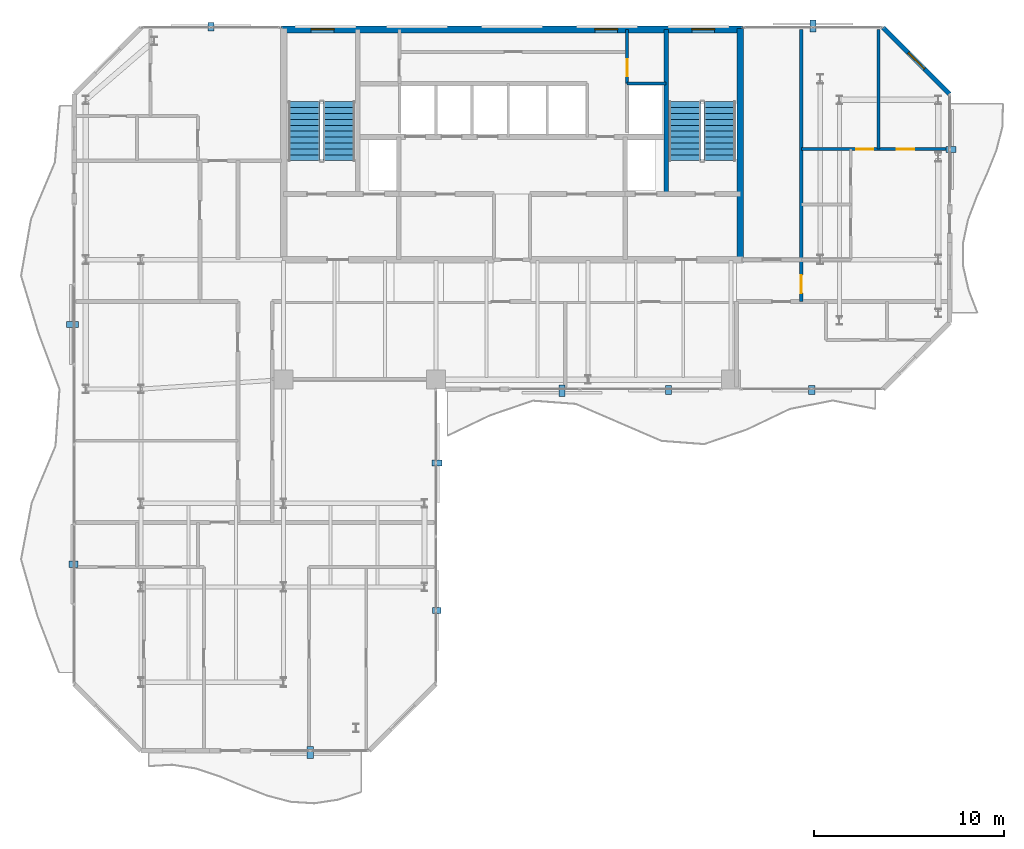
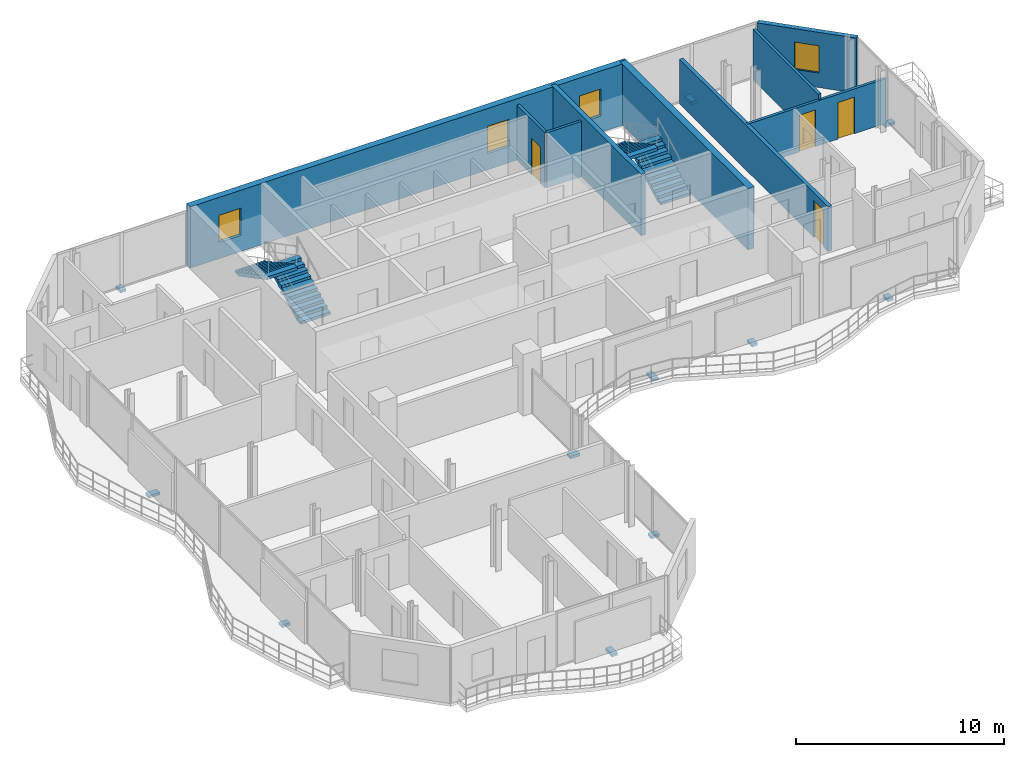
# One storey, part 20 of 23: 11 discrete accessories, 9 walls, 4 doors, 4 stair flights, 4 windows, 8 openings, 2 elements without a shape of their own.
"""IFC4 building model written with IfcOpenShell, lengths in metres."""

from ifc_helpers import new_model, si_unit, direction, frame, frame_2d, origin, origin_2d, place, context, subcontext, project, spatial, polyline, rectangle, outline, extrude, material, layer, layer_set, type_object, element, fill, aggregate, save


model = new_model("IFC4")

# Units and contexts
model_context = context("Model", 3, precision=1e-05, world=origin(), true_north=direction((0.0, 1.0)))
body_context = subcontext(model_context, "Body", "Model", "MODEL_VIEW")
ifc_project = project(units=[si_unit("LENGTHUNIT", "METRE"), si_unit("AREAUNIT", "SQUARE_METRE"), si_unit("VOLUMEUNIT", "CUBIC_METRE"), si_unit("PLANEANGLEUNIT", "RADIAN"), si_unit("MASSUNIT", "GRAM", prefix="KILO")], contexts=[model_context])

# Site, building, storey
site_placement = place(None, origin())
site = spatial("IfcSite", under=ifc_project, at=site_placement, CompositionType="ELEMENT")
building_placement = place(site_placement, origin())
building = spatial("IfcBuilding", under=site, at=building_placement, Name="Catumbela Crestline Tower", CompositionType="ELEMENT")
storey_placement = place(building_placement, frame((0.0, 0.0, 204.6)))
storey = spatial("IfcBuildingStorey", under=building, at=storey_placement, Name="L53", CompositionType="ELEMENT", Elevation=204.6)

# Walls
ifc_material_1 = material(Name="Concrete C50/60", Category="concrete")
ifc_layer_1 = layer(ifc_material_1, 0.25, Name="Concrete C50/60")
ifc_layer_set_1 = layer_set([ifc_layer_1], Name="Concrete C50/60")
wall_type_1 = type_object("IfcWallType", Name="CW-250D", PredefinedType="SHEAR", material=ifc_layer_set_1)
wall_1_placement = place(storey_placement, frame((36.1, 34.25, 0.0), z_axis=(0.0, 0.0, 1.0), x_axis=(0.0, 1.0, 0.0)))
element("IfcWall", 1, at=wall_1_placement, inside=storey, type_object=wall_type_1, Name="L53 Structural Core Shear Wall EWEB", PredefinedType="SHEAR", context=body_context, shape_type="SweptSolid", body=[
    extrude(rectangle(XDim=8.65, YDim=0.25, at=frame_2d((4.325, 0.0))), origin(), (0.0, 0.0, 1.0), 3.6),
])
ifc_layer_2 = layer(ifc_material_1, 0.35, Name="Concrete C50/60")
ifc_layer_set_2 = layer_set([ifc_layer_2], Name="Concrete C50/60")
wall_type_2 = type_object("IfcWallType", Name="CW-350B", PredefinedType="SHEAR", material=ifc_layer_set_2)
wall_2_placement = place(storey_placement, frame((40.0, 30.65, 0.0), z_axis=(0.0, 0.0, 1.0), x_axis=(0.0, 1.0, 0.0)))
element("IfcWall", 2, at=wall_2_placement, inside=storey, type_object=wall_type_2, Name="L53 Structural Core Shear Wall E", PredefinedType="SHEAR", context=body_context, shape_type="SweptSolid", body=[
    extrude(rectangle(XDim=12.3, YDim=0.35, at=frame_2d((6.15, 0.0))), origin(), (0.0, 0.0, 1.0), 3.6),
])

# Wall, openings, windows
ifc_layer_3 = layer(ifc_material_1, 0.35, Name="Concrete C50/60")
ifc_layer_set_3 = layer_set([ifc_layer_3], Name="Concrete C50/60")
wall_type_3 = type_object("IfcWallType", Name="CW-350E", PredefinedType="SHEAR", material=ifc_layer_set_3)
wall_3_placement = place(storey_placement, frame((15.85, 42.9, 0.0), z_axis=(0.0, 0.0, 1.0), x_axis=(1.0, 0.0, 0.0)))
wall_3 = element("IfcWall", 3, at=wall_3_placement, inside=storey, type_object=wall_type_3, Name="L53 Structural Core Shear Wall N", PredefinedType="SHEAR", context=body_context, shape_type="SweptSolid", body=[
    extrude(rectangle(XDim=24.3, YDim=0.35, at=frame_2d((12.15, 0.0))), origin(), (0.0, 0.0, 1.0), 3.6),
])
opening_1_placement = place(wall_3_placement, frame((1.6, 0.0, 0.95)))
opening_1 = element("IfcOpeningElement", 4, at=opening_1_placement, cuts=wall_3, Name="Opening WN-02", PredefinedType="OPENING", context=body_context, shape_type="SweptSolid", body=[
    extrude(rectangle(XDim=1.2, YDim=1.6, at=frame_2d((0.6, 0.8))), frame((0.0, 0.185, 0.0), z_axis=(0.0, -1.0, 0.0), x_axis=(1.0, 0.0, 0.0)), (0.0, 0.0, 1.0), 0.37),
])
opening_2_placement = place(wall_3_placement, frame((16.5, 0.0, 0.95)))
opening_2 = element("IfcOpeningElement", 5, at=opening_2_placement, cuts=wall_3, Name="Opening WN-02", PredefinedType="OPENING", context=body_context, shape_type="SweptSolid", body=[
    extrude(rectangle(XDim=1.2, YDim=1.6, at=frame_2d((0.6, 0.8))), frame((0.0, 0.185, 0.0), z_axis=(0.0, -1.0, 0.0), x_axis=(1.0, 0.0, 0.0)), (0.0, 0.0, 1.0), 0.37),
])
opening_3_placement = place(wall_3_placement, frame((21.6, 0.0, 0.95)))
opening_3 = element("IfcOpeningElement", 6, at=opening_3_placement, cuts=wall_3, Name="Opening WN-02", PredefinedType="OPENING", context=body_context, shape_type="SweptSolid", body=[
    extrude(rectangle(XDim=1.2, YDim=1.6, at=frame_2d((0.6, 0.8))), frame((0.0, 0.185, 0.0), z_axis=(0.0, -1.0, 0.0), x_axis=(1.0, 0.0, 0.0)), (0.0, 0.0, 1.0), 0.37),
])
ifc_material_2 = material(Name="Low-E laminated solar-control double glazing", Category="glass")
window_type = type_object("IfcWindowType", Name="WO-1200", PartitioningType="SINGLE_PANEL", PredefinedType="WINDOW", material=ifc_material_2)
window_1_placement = place(opening_1_placement, origin())
window_1 = element("IfcWindow", 7, at=window_1_placement, inside=storey, type_object=window_type, Name="L53 North Core Daylight Vision Window 353", OverallHeight=1.6, OverallWidth=1.2, PartitioningType="SINGLE_PANEL", PredefinedType="WINDOW", context=body_context, shape_type="SweptSolid", body=[
    extrude(rectangle(XDim=1.2, YDim=1.6, at=frame_2d((0.6, 0.8))), frame((0.0, 0.03, 0.0), z_axis=(0.0, -1.0, 0.0), x_axis=(1.0, 0.0, 0.0)), (0.0, 0.0, 1.0), 0.06),
])
fill(opening_1, window_1)
window_2_placement = place(opening_2_placement, origin())
window_2 = element("IfcWindow", 8, at=window_2_placement, inside=storey, type_object=window_type, Name="L53 North Core Daylight Vision Window 354", OverallHeight=1.6, OverallWidth=1.2, PartitioningType="SINGLE_PANEL", PredefinedType="WINDOW", context=body_context, shape_type="SweptSolid", body=[
    extrude(rectangle(XDim=1.2, YDim=1.6, at=frame_2d((0.6, 0.8))), frame((0.0, 0.03, 0.0), z_axis=(0.0, -1.0, 0.0), x_axis=(1.0, 0.0, 0.0)), (0.0, 0.0, 1.0), 0.06),
])
fill(opening_2, window_2)
window_3_placement = place(opening_3_placement, origin())
window_3 = element("IfcWindow", 9, at=window_3_placement, inside=storey, type_object=window_type, Name="L53 North Core Daylight Vision Window 355", OverallHeight=1.6, OverallWidth=1.2, PartitioningType="SINGLE_PANEL", PredefinedType="WINDOW", context=body_context, shape_type="SweptSolid", body=[
    extrude(rectangle(XDim=1.2, YDim=1.6, at=frame_2d((0.6, 0.8))), frame((0.0, 0.03, 0.0), z_axis=(0.0, -1.0, 0.0), x_axis=(1.0, 0.0, 0.0)), (0.0, 0.0, 1.0), 0.06),
])
fill(opening_3, window_3)

# Wall, opening, door
ifc_material_3 = material(Name="Acoustic gypsum and mineral-wool partition")
ifc_layer_4 = layer(ifc_material_3, 0.2, Name="Acoustic gypsum and mineral-wool partition")
ifc_layer_set_4 = layer_set([ifc_layer_4], Name="Acoustic gypsum and mineral-wool partition")
wall_type_4 = type_object("IfcWallType", Name="WC-200", PredefinedType="PARTITIONING", material=ifc_layer_set_4)
wall_4_placement = place(storey_placement, frame((43.2, 28.6, 0.0), z_axis=(0.0, 0.0, 1.0), x_axis=(0.0, 1.0, 0.0)))
wall_4 = element("IfcWall", 10, at=wall_4_placement, inside=storey, type_object=wall_type_4, Name="L53 Interior Partition PW-L53-NE1-ENT", PredefinedType="PARTITIONING", context=body_context, shape_type="SweptSolid", body=[
    extrude(rectangle(XDim=14.3, YDim=0.2, at=frame_2d((7.15, 0.0))), origin(), (0.0, 0.0, 1.0), 2.63),
])
opening_4_placement = place(wall_4_placement, frame((0.445, 0.0, 0.0)))
opening_4 = element("IfcOpeningElement", 11, at=opening_4_placement, cuts=wall_4, Name="Opening DF6-095", PredefinedType="OPENING", context=body_context, shape_type="SweptSolid", body=[
    extrude(rectangle(XDim=0.95, YDim=2.15, at=frame_2d((0.475, 1.075))), frame((0.0, 0.11, 0.0), z_axis=(0.0, -1.0, 0.0), x_axis=(1.0, 0.0, 0.0)), (0.0, 0.0, 1.0), 0.22),
])
ifc_material_4 = material(Name="Aluminium alloy AW-6060-T66", Category="aluminium")
door_type_1 = type_object("IfcDoorType", Name="DF6-095", OperationType="NOTDEFINED", PredefinedType="DOOR", material=ifc_material_4)
door_1_placement = place(opening_4_placement, origin())
door_1 = element("IfcDoor", 12, at=door_1_placement, inside=storey, type_object=door_type_1, Name="L53 Interior Door DR-L53-NE1-ENT", OperationType="SINGLE_SWING_LEFT", OverallHeight=2.15, OverallWidth=0.95, PredefinedType="DOOR", context=body_context, shape_type="SweptSolid", body=[
    extrude(rectangle(XDim=0.95, YDim=2.15, at=frame_2d((0.475, 1.075))), frame((0.0, 0.025, 0.0), z_axis=(0.0, -1.0, 0.0), x_axis=(1.0, 0.0, 0.0)), (0.0, 0.0, 1.0), 0.05),
])
fill(opening_4, door_1)

# Wall, opening, window
ifc_material_5 = material(Name="Angolan grey-ochre granite", Category="masonry")
ifc_layer_5 = layer(ifc_material_5, 0.25, Name="Angolan grey-ochre granite")
ifc_layer_set_5 = layer_set([ifc_layer_5], Name="Angolan grey-ochre granite")
wall_type_5 = type_object("IfcWallType", Name="WE-250", PredefinedType="STANDARD", material=ifc_layer_set_5)
wall_5_placement = place(storey_placement, frame((51.0, 39.5, 0.0), z_axis=(0.0, 0.0, 1.0), x_axis=(-0.707106781187, 0.707106781187, 0.0)))
wall_5 = element("IfcWall", 13, at=wall_5_placement, inside=storey, type_object=wall_type_5, Name="L53 Granite Punched Window Wall 6-1", PredefinedType="STANDARD", context=body_context, shape_type="SweptSolid", body=[
    extrude(rectangle(XDim=4.9497, YDim=0.25, at=frame_2d((2.4748, 0.0))), origin(), (0.0, 0.0, 1.0), 3.24),
])
opening_5_placement = place(wall_5_placement, frame((1.8748, 0.0, 0.85)))
opening_5 = element("IfcOpeningElement", 14, at=opening_5_placement, cuts=wall_5, Name="Opening WN-02", PredefinedType="OPENING", context=body_context, shape_type="SweptSolid", body=[
    extrude(rectangle(XDim=1.2, YDim=1.6, at=frame_2d((0.6, 0.8))), frame((0.0, 0.135, 0.0), z_axis=(0.0, -1.0, 0.0), x_axis=(1.0, 0.0, 0.0)), (0.0, 0.0, 1.0), 0.27),
])
window_4_placement = place(opening_5_placement, origin())
window_4 = element("IfcWindow", 15, at=window_4_placement, inside=storey, type_object=window_type, Name="L53 Facade Vision Window 360", OverallHeight=1.6, OverallWidth=1.2, PartitioningType="SINGLE_PANEL", PredefinedType="WINDOW", context=body_context, shape_type="SweptSolid", body=[
    extrude(rectangle(XDim=1.2, YDim=1.6, at=frame_2d((0.6, 0.8))), frame((0.0, 0.03, 0.0), z_axis=(0.0, -1.0, 0.0), x_axis=(1.0, 0.0, 0.0)), (0.0, 0.0, 1.0), 0.06),
])
fill(opening_5, window_4)

# Wall
ifc_layer_6 = layer(ifc_material_3, 0.15, Name="Acoustic gypsum and mineral-wool partition")
ifc_layer_set_6 = layer_set([ifc_layer_6], Name="Acoustic gypsum and mineral-wool partition")
wall_type_6 = type_object("IfcWallType", Name="WP-150", PredefinedType="PARTITIONING", material=ifc_layer_set_6)
wall_6_placement = place(storey_placement, frame((34.05, 40.05, 0.0), z_axis=(0.0, 0.0, 1.0), x_axis=(1.0, 0.0, 0.0)))
element("IfcWall", 16, at=wall_6_placement, inside=storey, type_object=wall_type_6, Name="L53 Interior Partition PW-L53-CR-ES", PredefinedType="PARTITIONING", context=body_context, shape_type="SweptSolid", body=[
    extrude(rectangle(XDim=2.05, YDim=0.15, at=frame_2d((1.025, 0.0))), origin(), (0.0, 0.0, 1.0), 3.24),
])

# Wall, opening, door
wall_7_placement = place(storey_placement, frame((34.05, 40.05, 0.0), z_axis=(0.0, 0.0, 1.0), x_axis=(0.0, 1.0, 0.0)))
wall_7 = element("IfcWall", 17, at=wall_7_placement, inside=storey, type_object=wall_type_6, Name="L53 Interior Partition PW-L53-CR-EW", PredefinedType="PARTITIONING", context=body_context, shape_type="SweptSolid", body=[
    extrude(rectangle(XDim=2.85, YDim=0.15, at=frame_2d((1.425, 0.0))), origin(), (0.0, 0.0, 1.0), 3.24),
])
opening_6_placement = place(wall_7_placement, frame((0.385, 0.0, 0.0)))
opening_6 = element("IfcOpeningElement", 18, at=opening_6_placement, cuts=wall_7, Name="Opening DF9-090", PredefinedType="OPENING", context=body_context, shape_type="SweptSolid", body=[
    extrude(rectangle(XDim=0.9, YDim=2.15, at=frame_2d((0.45, 1.075))), frame((0.0, 0.085, 0.0), z_axis=(0.0, -1.0, 0.0), x_axis=(1.0, 0.0, 0.0)), (0.0, 0.0, 1.0), 0.17),
])
ifc_material_6 = material(Name="Stainless steel EN 1.4401", Category="steel")
door_type_2 = type_object("IfcDoorType", Name="DF9-090", OperationType="NOTDEFINED", PredefinedType="DOOR", material=ifc_material_6)
door_2_placement = place(opening_6_placement, origin())
door_2 = element("IfcDoor", 19, at=door_2_placement, inside=storey, type_object=door_type_2, Name="L53 Interior Door DR-L53-CREAST", OperationType="SINGLE_SWING_RIGHT", OverallHeight=2.15, OverallWidth=0.9, PredefinedType="DOOR", context=body_context, shape_type="SweptSolid", body=[
    extrude(rectangle(XDim=0.9, YDim=2.15, at=frame_2d((0.45, 1.075))), frame((0.0, 0.025, 0.0), z_axis=(0.0, -1.0, 0.0), x_axis=(1.0, 0.0, 0.0)), (0.0, 0.0, 1.0), 0.05),
])
fill(opening_6, door_2)

# Wall, openings, doors
wall_8_placement = place(storey_placement, frame((43.2, 36.608, 0.0), z_axis=(0.0, 0.0, 1.0), x_axis=(1.0, 0.0, 0.0)))
wall_8 = element("IfcWall", 20, at=wall_8_placement, inside=storey, type_object=wall_type_6, Name="L53 Interior Partition PW-L53-NE1-KBN", PredefinedType="PARTITIONING", context=body_context, shape_type="SweptSolid", body=[
    extrude(rectangle(XDim=7.7, YDim=0.15, at=frame_2d((3.85, 0.0))), origin(), (0.0, 0.0, 1.0), 2.63),
])
opening_7_placement = place(wall_8_placement, frame((2.875, 0.0, 0.0)))
opening_7 = element("IfcOpeningElement", 21, at=opening_7_placement, cuts=wall_8, Name="Opening DI-090", PredefinedType="OPENING", context=body_context, shape_type="SweptSolid", body=[
    extrude(rectangle(XDim=0.9, YDim=2.15, at=frame_2d((0.45, 1.075))), frame((0.0, 0.085, 0.0), z_axis=(0.0, -1.0, 0.0), x_axis=(1.0, 0.0, 0.0)), (0.0, 0.0, 1.0), 0.17),
])
opening_8_placement = place(wall_8_placement, frame((5.0274, 0.0, 0.0)))
opening_8 = element("IfcOpeningElement", 22, at=opening_8_placement, cuts=wall_8, Name="Opening DI-090", PredefinedType="OPENING", context=body_context, shape_type="SweptSolid", body=[
    extrude(rectangle(XDim=0.9, YDim=2.15, at=frame_2d((0.45, 1.075))), frame((0.0, 0.085, 0.0), z_axis=(0.0, -1.0, 0.0), x_axis=(1.0, 0.0, 0.0)), (0.0, 0.0, 1.0), 0.17),
])
door_type_3 = type_object("IfcDoorType", Name="DI-090", OperationType="NOTDEFINED", PredefinedType="DOOR", material=ifc_material_4)
door_3_placement = place(opening_7_placement, origin())
door_3 = element("IfcDoor", 23, at=door_3_placement, inside=storey, type_object=door_type_3, Name="L53 Interior Door DR-L53-NE1-BD1", OperationType="SINGLE_SWING_LEFT", OverallHeight=2.15, OverallWidth=0.9, PredefinedType="DOOR", context=body_context, shape_type="SweptSolid", body=[
    extrude(rectangle(XDim=0.9, YDim=2.15, at=frame_2d((0.45, 1.075))), frame((0.0, 0.025, 0.0), z_axis=(0.0, -1.0, 0.0), x_axis=(1.0, 0.0, 0.0)), (0.0, 0.0, 1.0), 0.05),
])
fill(opening_7, door_3)
door_4_placement = place(opening_8_placement, origin())
door_4 = element("IfcDoor", 24, at=door_4_placement, inside=storey, type_object=door_type_3, Name="L53 Interior Door DR-L53-NE1-BD2", OperationType="SINGLE_SWING_RIGHT", OverallHeight=2.15, OverallWidth=0.9, PredefinedType="DOOR", context=body_context, shape_type="SweptSolid", body=[
    extrude(rectangle(XDim=0.9, YDim=2.15, at=frame_2d((0.45, 1.075))), frame((0.0, 0.025, 0.0), z_axis=(0.0, -1.0, 0.0), x_axis=(1.0, 0.0, 0.0)), (0.0, 0.0, 1.0), 0.05),
])
fill(opening_8, door_4)

# Wall
wall_9_placement = place(storey_placement, frame((47.25, 36.608, 0.0), z_axis=(0.0, 0.0, 1.0), x_axis=(0.0, 1.0, 0.0)))
element("IfcWall", 25, at=wall_9_placement, inside=storey, type_object=wall_type_6, Name="L53 Interior Partition PW-L53-NE1-BDP", PredefinedType="PARTITIONING", context=body_context, shape_type="SweptSolid", body=[
    extrude(rectangle(XDim=6.292, YDim=0.15, at=frame_2d((3.146, 0.0))), origin(), (0.0, 0.0, 1.0), 2.95),
])

# Stair, stair flights
ifc_material_7 = material(Name="Concrete C45/55", Category="concrete")
stair_type = type_object("IfcStairType", Name="ST-DLG", PredefinedType="HALF_TURN_STAIR", material=ifc_material_7)
stair_1_placement = place(storey_placement, origin())
stair_1 = element("IfcStair", 26, at=stair_1_placement, inside=storey, type_object=stair_type, Name="L53 West Core Pressurised Exit Stair ST-01", PredefinedType="HALF_TURN_STAIR")
stair_flight_type = type_object("IfcStairFlightType", Name="SF-1636", PredefinedType="STRAIGHT", material=ifc_material_7)
stair_flight_1_placement = place(storey_placement, frame((18.92, 36.0, 0.0), z_axis=(0.0, 0.0, 1.0), x_axis=(0.0, 1.0, 0.0)))
stair_flight_1 = element("IfcStairFlight", 27, at=stair_flight_1_placement, type_object=stair_flight_type, Name="ST-01 flight 1", NumberOfRisers=11, NumberOfTreads=10, PredefinedType="STRAIGHT", RiserHeight=0.163636364, TreadLength=0.31, context=body_context, shape_type="SweptSolid", body=[
    extrude(outline(polyline([(0.0, 0.0), (0.0, 0.1636), (0.31, 0.1636), (0.31, 0.3273), (0.62, 0.3273), (0.62, 0.4909), (0.93, 0.4909), (0.93, 0.6545), (1.24, 0.6545), (1.24, 0.8182), (1.55, 0.8182), (1.55, 0.9818), (1.86, 0.9818), (1.86, 1.1455), (2.17, 1.1455), (2.17, 1.3091), (2.48, 1.3091), (2.48, 1.4727), (2.79, 1.4727), (2.79, 1.6364), (3.1, 1.6364), (3.1, 1.8), (3.1, 1.4554), (0.3427, 0.0), (0.0, 0.0)])), frame((0.0, 0.83, 0.0), z_axis=(0.0, -1.0, 0.0), x_axis=(1.0, 0.0, 0.0)), (0.0, 0.0, 1.0), 1.66),
])
stair_flight_2_placement = place(storey_placement, frame((17.08, 39.1, 1.8), z_axis=(0.0, 0.0, 1.0), x_axis=(0.0, -1.0, 0.0)))
stair_flight_2 = element("IfcStairFlight", 28, at=stair_flight_2_placement, type_object=stair_flight_type, Name="ST-01 flight 2", NumberOfRisers=11, NumberOfTreads=10, PredefinedType="STRAIGHT", RiserHeight=0.163636364, TreadLength=0.31, context=body_context, shape_type="SweptSolid", body=[
    extrude(outline(polyline([(0.0, 0.0), (0.0, 0.1636), (0.31, 0.1636), (0.31, 0.3273), (0.62, 0.3273), (0.62, 0.4909), (0.93, 0.4909), (0.93, 0.6545), (1.24, 0.6545), (1.24, 0.8182), (1.55, 0.8182), (1.55, 0.9818), (1.86, 0.9818), (1.86, 1.1455), (2.17, 1.1455), (2.17, 1.3091), (2.48, 1.3091), (2.48, 1.4727), (2.79, 1.4727), (2.79, 1.6364), (3.1, 1.6364), (3.1, 1.8), (3.1, 1.4554), (0.3427, 0.0), (0.0, 0.0)])), frame((0.0, 0.83, 0.0), z_axis=(0.0, -1.0, 0.0), x_axis=(1.0, 0.0, 0.0)), (0.0, 0.0, 1.0), 1.66),
])
aggregate(stair_1, [stair_flight_1, stair_flight_2])

stair_2_placement = place(storey_placement, origin())
stair_2 = element("IfcStair", 29, at=stair_2_placement, inside=storey, type_object=stair_type, Name="L53 East Core Pressurised Exit Stair ST-02", PredefinedType="HALF_TURN_STAIR")
stair_flight_3_placement = place(storey_placement, frame((38.92, 36.0, 0.0), z_axis=(0.0, 0.0, 1.0), x_axis=(0.0, 1.0, 0.0)))
stair_flight_3 = element("IfcStairFlight", 30, at=stair_flight_3_placement, type_object=stair_flight_type, Name="ST-02 flight 1", NumberOfRisers=11, NumberOfTreads=10, PredefinedType="STRAIGHT", RiserHeight=0.163636364, TreadLength=0.31, context=body_context, shape_type="SweptSolid", body=[
    extrude(outline(polyline([(0.0, 0.0), (0.0, 0.1636), (0.31, 0.1636), (0.31, 0.3273), (0.62, 0.3273), (0.62, 0.4909), (0.93, 0.4909), (0.93, 0.6545), (1.24, 0.6545), (1.24, 0.8182), (1.55, 0.8182), (1.55, 0.9818), (1.86, 0.9818), (1.86, 1.1455), (2.17, 1.1455), (2.17, 1.3091), (2.48, 1.3091), (2.48, 1.4727), (2.79, 1.4727), (2.79, 1.6364), (3.1, 1.6364), (3.1, 1.8), (3.1, 1.4554), (0.3427, 0.0), (0.0, 0.0)])), frame((0.0, 0.83, 0.0), z_axis=(0.0, -1.0, 0.0), x_axis=(1.0, 0.0, 0.0)), (0.0, 0.0, 1.0), 1.66),
])
stair_flight_4_placement = place(storey_placement, frame((37.08, 39.1, 1.8), z_axis=(0.0, 0.0, 1.0), x_axis=(0.0, -1.0, 0.0)))
stair_flight_4 = element("IfcStairFlight", 31, at=stair_flight_4_placement, type_object=stair_flight_type, Name="ST-02 flight 2", NumberOfRisers=11, NumberOfTreads=10, PredefinedType="STRAIGHT", RiserHeight=0.163636364, TreadLength=0.31, context=body_context, shape_type="SweptSolid", body=[
    extrude(outline(polyline([(0.0, 0.0), (0.0, 0.1636), (0.31, 0.1636), (0.31, 0.3273), (0.62, 0.3273), (0.62, 0.4909), (0.93, 0.4909), (0.93, 0.6545), (1.24, 0.6545), (1.24, 0.8182), (1.55, 0.8182), (1.55, 0.9818), (1.86, 0.9818), (1.86, 1.1455), (2.17, 1.1455), (2.17, 1.3091), (2.48, 1.3091), (2.48, 1.4727), (2.79, 1.4727), (2.79, 1.6364), (3.1, 1.6364), (3.1, 1.8), (3.1, 1.4554), (0.3427, 0.0), (0.0, 0.0)])), frame((0.0, 0.83, 0.0), z_axis=(0.0, -1.0, 0.0), x_axis=(1.0, 0.0, 0.0)), (0.0, 0.0, 1.0), 1.66),
])
aggregate(stair_2, [stair_flight_3, stair_flight_4])

# Discrete accessories
discrete_accessory_type = type_object("IfcDiscreteAccessoryType", Name="BK-SS1", PredefinedType="BRACKET", material=ifc_material_6)
discrete_accessory_1_placement = place(storey_placement, frame((17.4, 4.915, -0.18), z_axis=(0.0, 0.0, 1.0), x_axis=(1.0, 0.0, 0.0)))
element("IfcDiscreteAccessory", 32, at=discrete_accessory_1_placement, inside=storey, type_object=discrete_accessory_type, Name="L53 Solar Screen Stainless Bracket 640", PredefinedType="BRACKET", context=body_context, shape_type="SweptSolid", body=[
    extrude(rectangle(XDim=0.32, YDim=0.62, at=origin_2d()), origin(), (0.0, 0.0, 1.0), 0.16),
])
discrete_accessory_2_placement = place(storey_placement, frame((24.045, 12.375, -0.18), z_axis=(0.0, 0.0, 1.0), x_axis=(0.0, 1.0, 0.0)))
element("IfcDiscreteAccessory", 33, at=discrete_accessory_2_placement, inside=storey, type_object=discrete_accessory_type, Name="L53 Solar Screen Stainless Bracket 641", PredefinedType="BRACKET", context=body_context, shape_type="SweptSolid", body=[
    extrude(rectangle(XDim=0.32, YDim=0.46, at=origin_2d()), origin(), (0.0, 0.0, 1.0), 0.16),
])
discrete_accessory_3_placement = place(storey_placement, frame((24.065, 20.125, -0.18), z_axis=(0.0, 0.0, 1.0), x_axis=(0.0, 1.0, 0.0)))
element("IfcDiscreteAccessory", 34, at=discrete_accessory_3_placement, inside=storey, type_object=discrete_accessory_type, Name="L53 Solar Screen Stainless Bracket 642", PredefinedType="BRACKET", context=body_context, shape_type="SweptSolid", body=[
    extrude(rectangle(XDim=0.32, YDim=0.54, at=origin_2d()), origin(), (0.0, 0.0, 1.0), 0.16),
])
discrete_accessory_4_placement = place(storey_placement, frame((30.6375, 23.915, -0.18), z_axis=(0.0, 0.0, 1.0), x_axis=(1.0, 0.0, 0.0)))
element("IfcDiscreteAccessory", 35, at=discrete_accessory_4_placement, inside=storey, type_object=discrete_accessory_type, Name="L53 Solar Screen Stainless Bracket 643", PredefinedType="BRACKET", context=body_context, shape_type="SweptSolid", body=[
    extrude(rectangle(XDim=0.32, YDim=0.62, at=origin_2d()), origin(), (0.0, 0.0, 1.0), 0.16),
])
for number, where, z_axis, x_axis, name in (
    (36, (36.2125, 23.955, -0.18), (0.0, 0.0, 1.0), (1.0, 0.0, 0.0), "L53 Solar Screen Stainless Bracket 644"),
    (37, (43.75, 23.955, -0.18), (0.0, 0.0, 1.0), (1.0, 0.0, 0.0), "L53 Solar Screen Stainless Bracket 645"),
):
    element("IfcDiscreteAccessory", number, at=place(storey_placement, frame(where, z_axis=z_axis, x_axis=x_axis)), inside=storey, type_object=discrete_accessory_type, Name=name, PredefinedType="BRACKET", context=body_context, shape_type="SweptSolid", body=[
        extrude(rectangle(XDim=0.32, YDim=0.46, at=origin_2d()), origin(), (0.0, 0.0, 1.0), 0.16),
    ])
discrete_accessory_5_placement = place(storey_placement, frame((51.065, 36.6, -0.18), z_axis=(0.0, 0.0, 1.0), x_axis=(0.0, 1.0, 0.0)))
element("IfcDiscreteAccessory", 38, at=discrete_accessory_5_placement, inside=storey, type_object=discrete_accessory_type, Name="L53 Solar Screen Stainless Bracket 646", PredefinedType="BRACKET", context=body_context, shape_type="SweptSolid", body=[
    extrude(rectangle(XDim=0.32, YDim=0.54, at=origin_2d()), origin(), (0.0, 0.0, 1.0), 0.16),
])
discrete_accessory_6_placement = place(storey_placement, frame((43.82, 43.085, -0.18), z_axis=(0.0, 0.0, 1.0), x_axis=(-1.0, 0.0, 0.0)))
element("IfcDiscreteAccessory", 39, at=discrete_accessory_6_placement, inside=storey, type_object=discrete_accessory_type, Name="L53 Solar Screen Stainless Bracket 647", PredefinedType="BRACKET", context=body_context, shape_type="SweptSolid", body=[
    extrude(rectangle(XDim=0.32, YDim=0.62, at=origin_2d()), origin(), (0.0, 0.0, 1.0), 0.16),
])
discrete_accessory_7_placement = place(storey_placement, frame((12.18, 43.045, -0.18), z_axis=(0.0, 0.0, 1.0), x_axis=(-1.0, 0.0, 0.0)))
element("IfcDiscreteAccessory", 40, at=discrete_accessory_7_placement, inside=storey, type_object=discrete_accessory_type, Name="L53 Solar Screen Stainless Bracket 648", PredefinedType="BRACKET", context=body_context, shape_type="SweptSolid", body=[
    extrude(rectangle(XDim=0.32, YDim=0.46, at=origin_2d()), origin(), (0.0, 0.0, 1.0), 0.16),
])
discrete_accessory_8_placement = place(storey_placement, frame((4.915, 27.4, -0.18), z_axis=(0.0, 0.0, 1.0), x_axis=(0.0, -1.0, 0.0)))
element("IfcDiscreteAccessory", 41, at=discrete_accessory_8_placement, inside=storey, type_object=discrete_accessory_type, Name="L53 Solar Screen Stainless Bracket 649", PredefinedType="BRACKET", context=body_context, shape_type="SweptSolid", body=[
    extrude(rectangle(XDim=0.32, YDim=0.62, at=origin_2d()), origin(), (0.0, 0.0, 1.0), 0.16),
])
discrete_accessory_9_placement = place(storey_placement, frame((4.955, 14.8, -0.18), z_axis=(0.0, 0.0, 1.0), x_axis=(0.0, -1.0, 0.0)))
element("IfcDiscreteAccessory", 42, at=discrete_accessory_9_placement, inside=storey, type_object=discrete_accessory_type, Name="L53 Solar Screen Stainless Bracket 650", PredefinedType="BRACKET", context=body_context, shape_type="SweptSolid", body=[
    extrude(rectangle(XDim=0.32, YDim=0.46, at=origin_2d()), origin(), (0.0, 0.0, 1.0), 0.16),
])

save(model, "model.ifc")
